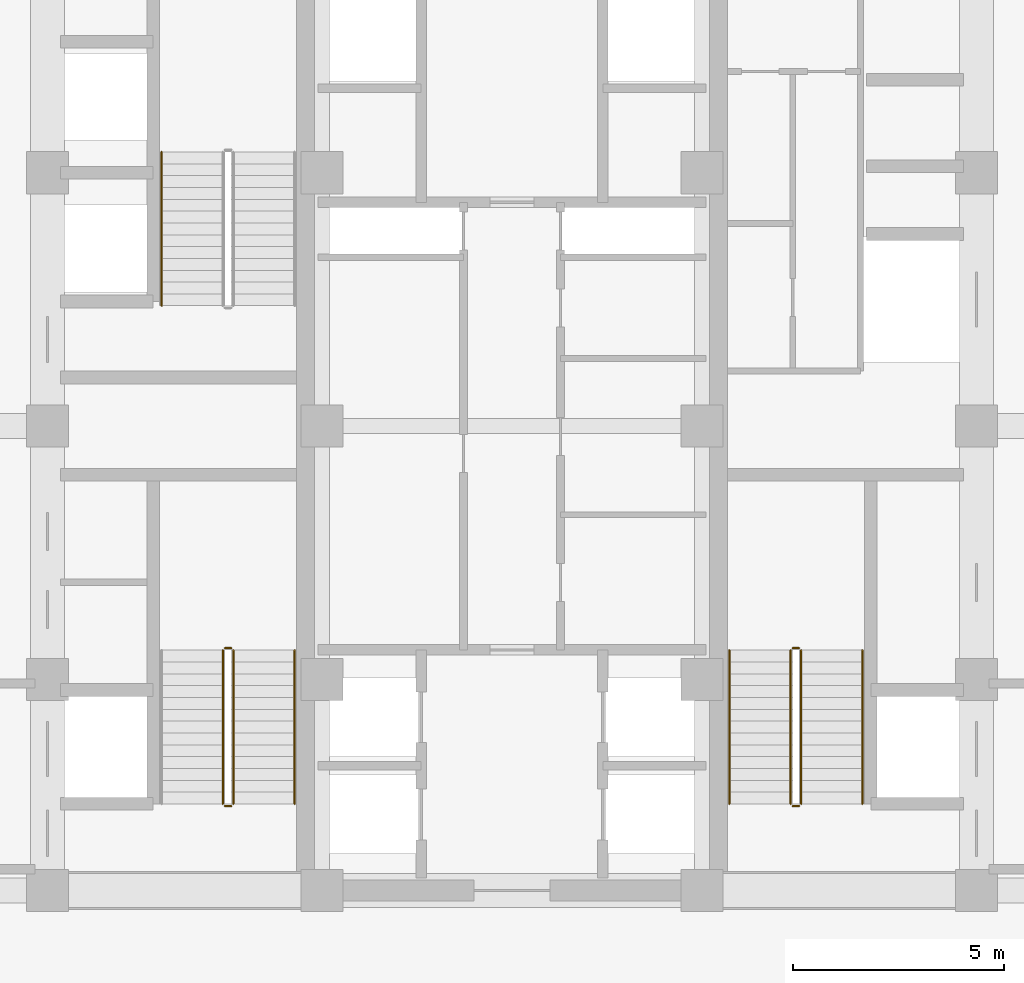
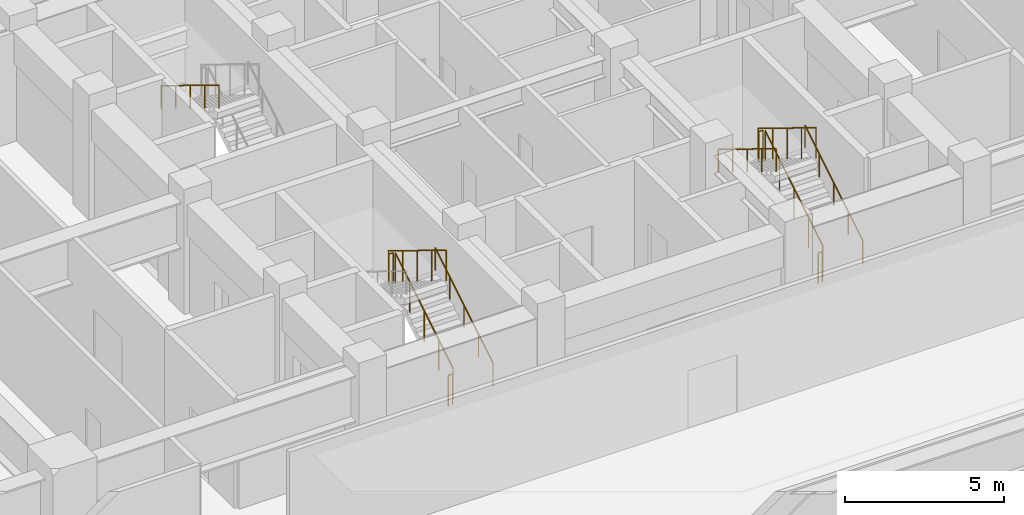
# One storey, part 31 of 35: 12 railings.
"""IFC4 building model written with IfcOpenShell, lengths in metres."""

from ifc_helpers import new_model, si_unit, direction, frame, origin, origin_2d, place, context, subcontext, project, spatial, circle, extrude, source, transform, mapped, material, type_object, element, save


model = new_model("IFC4")

# Units and contexts
model_context = context("Model", 3, precision=1e-05, world=origin(), true_north=direction((0.0, 1.0)))
body_context = subcontext(model_context, "Body", "Model", "MODEL_VIEW")
ifc_project = project(units=[si_unit("LENGTHUNIT", "METRE"), si_unit("AREAUNIT", "SQUARE_METRE"), si_unit("VOLUMEUNIT", "CUBIC_METRE"), si_unit("PLANEANGLEUNIT", "RADIAN"), si_unit("MASSUNIT", "GRAM", prefix="KILO")], contexts=[model_context])

# Site, building, storey
site_placement = place(None, origin())
site = spatial("IfcSite", under=ifc_project, at=site_placement, CompositionType="ELEMENT")
building_placement = place(site_placement, origin())
building = spatial("IfcBuilding", under=site, at=building_placement, Name="Khorayat Bourse Tower", CompositionType="ELEMENT")
storey_placement = place(building_placement, frame((0.0, 0.0, 22.199951171875)))
storey = spatial("IfcBuildingStorey", under=building, at=storey_placement, Name="L04", CompositionType="ELEMENT", Elevation=22.199951171875)

# Railings
ifc_material_1 = material(Name="Powder-coated steel balustrade", Category="steel")
railing_type_1 = type_object("IfcRailingType", Name="RLG-GUARD-1200", PredefinedType="GUARDRAIL", material=ifc_material_1)
shared_shape_1 = source(origin(), body_context, "Body", "SweptSolid", [
    extrude(circle(Radius=0.02392578125, at=origin_2d()), frame((0.0, 0.0, 1.17578125), z_axis=(-1.0, 0.0, 0.0), x_axis=(0.0, -1.0, 0.0)), (0.0, 0.0, 1.0), 0.150146484375),
    extrude(circle(Radius=0.02099609375, at=origin_2d()), origin(), (0.0, 0.0, 1.0), 1.15185546875),
    extrude(circle(Radius=0.02099609375, at=origin_2d()), frame((-0.150146484375, 0.0, 0.0)), (0.0, 0.0, 1.0), 1.15185546875),
])
for number, where, name in (
    (1, (-6.64990234375, -5.260009765625, 2.400146484375), "L04 ST-1 stair guard 2"),
    (2, (-6.64990234375, -9.0, 0.0), "L04 ST-1 stair guard 4"),
    (3, (6.800048828125, -5.260009765625, 2.400146484375), "L04 ST-3 stair guard 2"),
    (4, (6.800048828125, -9.0, 0.0), "L04 ST-3 stair guard 4"),
):
    element("IfcRailing", number, at=place(storey_placement, frame(where)), inside=storey, type_object=railing_type_1, Name=name, PredefinedType="GUARDRAIL", context=body_context, shape_type="MappedRepresentation", body=[
        mapped(shared_shape_1, transform((0.0, 0.0, 0.0), scale=1.0)),
    ])
shared_shape_2 = source(origin(), body_context, "Body", "SweptSolid", [
    extrude(circle(Radius=0.02392578125, at=origin_2d()), frame((0.0, 0.0, 1.17578125), z_axis=(0.0, -0.852850264322, 0.5221555579), x_axis=(1.0, 0.0, 0.0)), (0.0, 0.0, 1.0), 4.267822265625),
    extrude(circle(Radius=0.02099609375, at=origin_2d()), origin(), (0.0, 0.0, 1.0), 1.15185546875),
    extrude(circle(Radius=0.02099609375, at=origin_2d()), frame((0.0, -0.909912109375, 0.55712890625)), (0.0, 0.0, 1.0), 1.15185546875),
    extrude(circle(Radius=0.02099609375, at=origin_2d()), frame((0.0, -1.81982421875, 1.1142578125)), (0.0, 0.0, 1.0), 1.15185546875),
    extrude(circle(Radius=0.02099609375, at=origin_2d()), frame((0.0, -2.72998046875, 1.67138671875)), (0.0, 0.0, 1.0), 1.15185546875),
    extrude(circle(Radius=0.02099609375, at=origin_2d()), frame((0.0, -3.639892578125, 2.228515625)), (0.0, 0.0, 1.0), 1.15185546875),
])
for number, where, name in (
    (5, (-6.85009765625, -5.31005859375, 2.571533203125), "L04 ST-1 stair guard 3"),
    (6, (6.60009765625, -5.31005859375, 2.571533203125), "L04 ST-3 stair guard 3"),
):
    element("IfcRailing", number, at=place(storey_placement, frame(where)), inside=storey, type_object=railing_type_1, Name=name, PredefinedType="GUARDRAIL", context=body_context, shape_type="MappedRepresentation", body=[
        mapped(shared_shape_2, transform((0.0, 0.0, 0.0), scale=1.0)),
    ])
ifc_material_2 = material(Name="Brushed bronze stainless-steel handrail", Category="steel")
railing_type_2 = type_object("IfcRailingType", Name="RLG-HAND-900", PredefinedType="HANDRAIL", material=ifc_material_2)
shared_shape_3 = source(origin(), body_context, "Body", "SweptSolid", [
    extrude(circle(Radius=0.02392578125, at=origin_2d()), frame((0.0, 0.0, 0.8759765625), z_axis=(0.0, -0.852850264322, 0.5221555579), x_axis=(1.0, 0.0, 0.0)), (0.0, 0.0, 1.0), 4.267822265625),
    extrude(circle(Radius=0.02099609375, at=origin_2d()), origin(), (0.0, 0.0, 1.0), 0.851806640625),
    extrude(circle(Radius=0.02099609375, at=origin_2d()), frame((0.0, -0.909912109375, 0.55712890625)), (0.0, 0.0, 1.0), 0.851806640625),
    extrude(circle(Radius=0.02099609375, at=origin_2d()), frame((0.0, -1.81982421875, 1.1142578125)), (0.0, 0.0, 1.0), 0.851806640625),
    extrude(circle(Radius=0.02099609375, at=origin_2d()), frame((0.0, -2.72998046875, 1.67138671875)), (0.0, 0.0, 1.0), 0.851806640625),
    extrude(circle(Radius=0.02099609375, at=origin_2d()), frame((0.0, -3.639892578125, 2.228515625)), (0.0, 0.0, 1.0), 0.851806640625),
])
for number, where, name in (
    (7, (-8.300048828125, 6.489990234375, 2.571533203125), "L04 ST-2 stair handrail 2"),
    (8, (5.14990234375, -5.31005859375, 2.571533203125), "L04 ST-3 stair handrail 2"),
):
    element("IfcRailing", number, at=place(storey_placement, frame(where)), inside=storey, type_object=railing_type_2, Name=name, PredefinedType="HANDRAIL", context=body_context, shape_type="MappedRepresentation", body=[
        mapped(shared_shape_3, transform((0.0, 0.0, 0.0), scale=1.0)),
    ])
shared_shape_4 = source(origin(), body_context, "Body", "SweptSolid", [
    extrude(circle(Radius=0.02392578125, at=origin_2d()), frame((0.0, 0.0, 1.17578125), z_axis=(0.0, 0.852824790078, 0.522197163366), x_axis=(-1.0, 0.0, 0.0)), (0.0, 0.0, 1.0), 4.26806640625),
    extrude(circle(Radius=0.02099609375, at=origin_2d()), origin(), (0.0, 0.0, 1.0), 1.15185546875),
    extrude(circle(Radius=0.02099609375, at=origin_2d()), frame((0.0, 0.909912109375, 0.55712890625)), (0.0, 0.0, 1.0), 1.15185546875),
    extrude(circle(Radius=0.02099609375, at=origin_2d()), frame((0.0, 1.81982421875, 1.1142578125)), (0.0, 0.0, 1.0), 1.15185546875),
    extrude(circle(Radius=0.02099609375, at=origin_2d()), frame((0.0, 2.72998046875, 1.671630859375)), (0.0, 0.0, 1.0), 1.15185546875),
    extrude(circle(Radius=0.02099609375, at=origin_2d()), frame((0.0, 3.639892578125, 2.228759765625)), (0.0, 0.0, 1.0), 1.15185546875),
])
for number, where, name in (
    (9, (-6.60009765625, -8.949951171875, 0.17138671875), "L04 ST-1 stair guard 1"),
    (10, (6.85009765625, -8.949951171875, 0.17138671875), "L04 ST-3 stair guard 1"),
):
    element("IfcRailing", number, at=place(storey_placement, frame(where)), inside=storey, type_object=railing_type_1, Name=name, PredefinedType="GUARDRAIL", context=body_context, shape_type="MappedRepresentation", body=[
        mapped(shared_shape_4, transform((0.0, 0.0, 0.0), scale=1.0)),
    ])
shared_shape_5 = source(origin(), body_context, "Body", "SweptSolid", [
    extrude(circle(Radius=0.02392578125, at=origin_2d()), frame((0.0, 0.0, 0.8759765625), z_axis=(0.0, 0.852824790078, 0.522197163366), x_axis=(-1.0, 0.0, 0.0)), (0.0, 0.0, 1.0), 4.26806640625),
    extrude(circle(Radius=0.02099609375, at=origin_2d()), origin(), (0.0, 0.0, 1.0), 0.851806640625),
    extrude(circle(Radius=0.02099609375, at=origin_2d()), frame((0.0, 0.909912109375, 0.55712890625)), (0.0, 0.0, 1.0), 0.851806640625),
    extrude(circle(Radius=0.02099609375, at=origin_2d()), frame((0.0, 1.81982421875, 1.1142578125)), (0.0, 0.0, 1.0), 0.851806640625),
    extrude(circle(Radius=0.02099609375, at=origin_2d()), frame((0.0, 2.72998046875, 1.671630859375)), (0.0, 0.0, 1.0), 0.851806640625),
    extrude(circle(Radius=0.02099609375, at=origin_2d()), frame((0.0, 3.639892578125, 2.228759765625)), (0.0, 0.0, 1.0), 0.851806640625),
])
for number, where, name in (
    (11, (-5.14990234375, -8.949951171875, 0.17138671875), "L04 ST-1 stair handrail 1"),
    (12, (8.300048828125, -8.949951171875, 0.17138671875), "L04 ST-3 stair handrail 1"),
):
    element("IfcRailing", number, at=place(storey_placement, frame(where)), inside=storey, type_object=railing_type_2, Name=name, PredefinedType="HANDRAIL", context=body_context, shape_type="MappedRepresentation", body=[
        mapped(shared_shape_5, transform((0.0, 0.0, 0.0), scale=1.0)),
    ])

save(model, "model.ifc")
